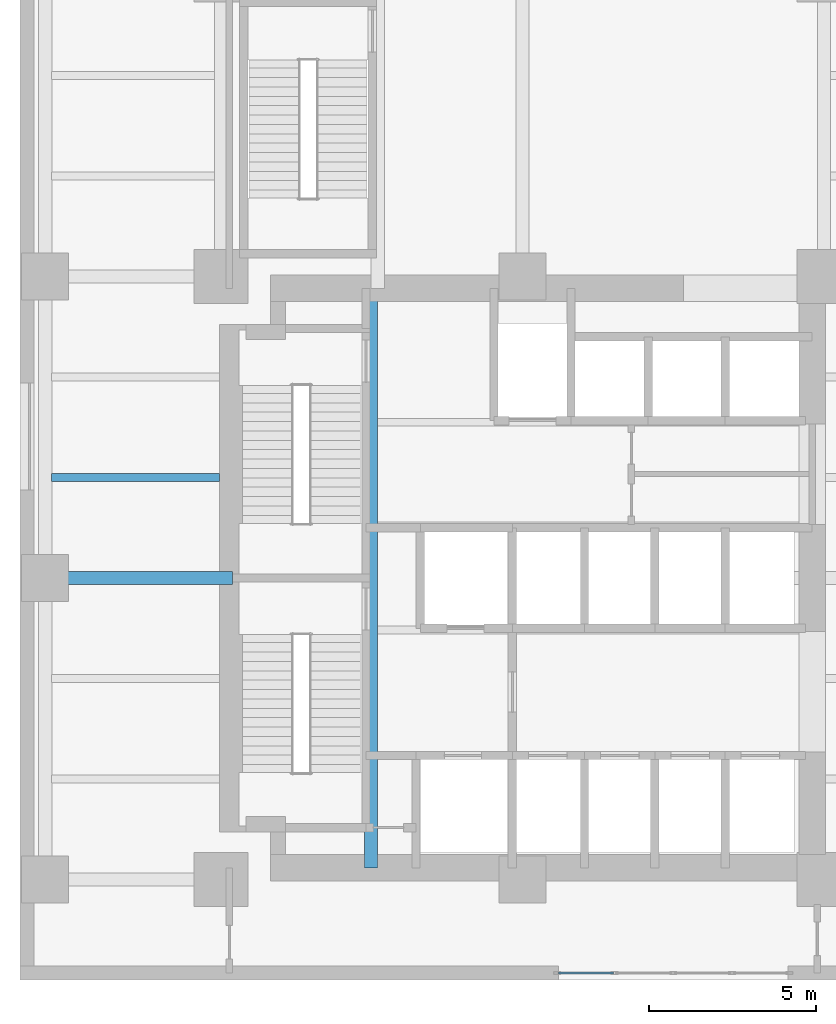
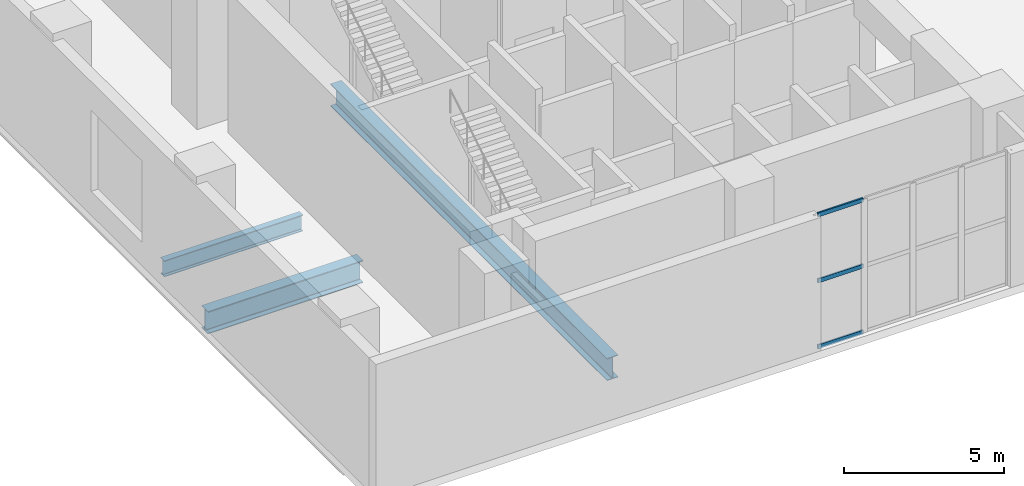
# One storey, part 3 of 20: 3 beams, 3 members, 1 element without a shape of its own.
"""IFC4 building model written with IfcOpenShell, lengths in metres."""

from ifc_helpers import new_model, si_unit, direction, frame, origin, origin_2d, place, context, subcontext, project, spatial, hollow_rectangle, i_section, extrude, material, layer, layer_set, material_profile, profile_set, type_object, element, aggregate, save


model = new_model("IFC4")

# Units and contexts
model_context = context("Model", 3, precision=1e-05, world=origin(), true_north=direction((0.0, 1.0)))
body_context = subcontext(model_context, "Body", "Model", "MODEL_VIEW")
ifc_project = project(units=[si_unit("LENGTHUNIT", "METRE"), si_unit("AREAUNIT", "SQUARE_METRE"), si_unit("VOLUMEUNIT", "CUBIC_METRE"), si_unit("PLANEANGLEUNIT", "RADIAN"), si_unit("MASSUNIT", "GRAM", prefix="KILO")], contexts=[model_context])

# Site, building, storey
site_placement = place(None, origin())
site = spatial("IfcSite", under=ifc_project, at=site_placement, CompositionType="ELEMENT")
building_placement = place(site_placement, origin())
building = spatial("IfcBuilding", under=site, at=building_placement, Name="Mawjdan Bourse Tower", CompositionType="ELEMENT")
storey_placement = place(building_placement, frame((0.0, 0.0, 5.39990234375)))
storey = spatial("IfcBuildingStorey", under=building, at=storey_placement, Name="L01", CompositionType="ELEMENT", Elevation=5.39990234375)

# Beams
ifc_material_1 = material(Name="Structural Steel S355", Category="steel")
ifc_material_profile_1 = material_profile(ifc_material_1, i_section(OverallWidth=0.39892578125, OverallDepth=0.85595703125, WebThickness=0.018310546875, FlangeThickness=0.029296875, FilletRadius=0.0234375, at=origin_2d()), Name="W33X201")
ifc_profile_set_1 = profile_set([ifc_material_profile_1], Name="Structural Steel S355")
beam_type_1 = type_object("IfcBeamType", Name="GRD-W33X201", PredefinedType="BEAM", material=ifc_profile_set_1)
beam_1_placement = place(storey_placement, frame((10.47998046875, 3.35009765625, -0.727783203125), z_axis=(0.0, 1.0, 0.0), x_axis=(-1.0, 0.0, 0.0)))
element("IfcBeam", 1, at=beam_1_placement, inside=storey, type_object=beam_type_1, Name="L01 Core Stair Trimmer Girder 001", PredefinedType="BEAM", context=body_context, shape_type="SweptSolid", body=[
    extrude(i_section(OverallWidth=0.39892578125, OverallDepth=0.85595703125, WebThickness=0.018310546875, FlangeThickness=0.029296875, FilletRadius=0.0234375, at=origin_2d()), origin(), (0.0, 0.0, 1.0), 17.2998046875),
])
beam_2_placement = place(storey_placement, frame((0.75, 12.0, -0.727783203125), z_axis=(1.0, 0.0, 0.0), x_axis=(0.0, 1.0, 0.0)))
element("IfcBeam", 2, at=beam_2_placement, inside=storey, type_object=beam_type_1, Name="L01 Podium Core Tie Girder 045", PredefinedType="BEAM", context=body_context, shape_type="SweptSolid", body=[
    extrude(i_section(OverallWidth=0.39892578125, OverallDepth=0.85595703125, WebThickness=0.018310546875, FlangeThickness=0.029296875, FilletRadius=0.0234375, at=origin_2d()), origin(), (0.0, 0.0, 1.0), 5.60009765625),
])
ifc_material_profile_2 = material_profile(ifc_material_1, i_section(OverallWidth=0.22998046875, OverallDepth=0.616943359375, WebThickness=0.01318359375, FlangeThickness=0.022216796875, FilletRadius=0.017822265625, at=origin_2d()), Name="W24X94")
ifc_profile_set_2 = profile_set([ifc_material_profile_2], Name="Structural Steel S355")
beam_type_2 = type_object("IfcBeamType", Name="JST-W24X94", PredefinedType="JOIST", material=ifc_profile_set_2)
beam_3_placement = place(storey_placement, frame((0.947509765625, 15.0, -0.6083984375), z_axis=(1.0, 0.0, 0.0), x_axis=(0.0, 1.0, 0.0)))
element("IfcBeam", 3, at=beam_3_placement, inside=storey, type_object=beam_type_2, Name="L01 Composite Floor Joist 083", PredefinedType="JOIST", context=body_context, shape_type="SweptSolid", body=[
    extrude(i_section(OverallWidth=0.22998046875, OverallDepth=0.616943359375, WebThickness=0.01318359375, FlangeThickness=0.022216796875, FilletRadius=0.017822265625, at=origin_2d()), origin(), (0.0, 0.0, 1.0), 5.012451171875),
])

# Curtain wall, members
ifc_material_2 = material(Name="Thermally Broken Aluminium and Solar Glass", Category="aluminium")
ifc_layer = layer(ifc_material_2, 0.219970703125)
ifc_layer_set = layer_set([ifc_layer], Name="Thermally Broken Aluminium and Solar Glass")
curtain_wall_type = type_object("IfcCurtainWallType", Name="CW-ENT", PredefinedType="USERDEFINED", material=ifc_layer_set)
curtain_wall_placement = place(storey_placement, origin())
curtain_wall = element("IfcCurtainWall", 4, at=curtain_wall_placement, inside=storey, type_object=curtain_wall_type, Name="L01 South-West Foyer Upper Curtain Wall", ObjectType="FOYER ENTRANCE CURTAIN WALL", PredefinedType="USERDEFINED")
ifc_material_3 = material(Name="Thermally Broken Anodised Aluminium", Category="aluminium")
ifc_material_profile_3 = material_profile(ifc_material_3, hollow_rectangle(XDim=0.06005859375, YDim=0.155029296875, WallThickness=0.00390625, at=origin_2d()), Name="ALU-TRN-155X60")
ifc_profile_set_3 = profile_set([ifc_material_profile_3], Name="Thermally Broken Anodised Aluminium")
member_type = type_object("IfcMemberType", Name="TRN-ALU-TRN-155X60", PredefinedType="USERDEFINED", material=ifc_profile_set_3)
member_1_placement = place(storey_placement, frame((16.074951171875, 0.2099609375, 0.030029296875), z_axis=(1.0, 0.0, 0.0), x_axis=(0.0, 1.0, 0.0)))
member_1 = element("IfcMember", 5, at=member_1_placement, type_object=member_type, Name="CW-ENT-L01-ENT-SW transom 1.1", ObjectType="TRANSOM", PredefinedType="USERDEFINED", context=body_context, shape_type="SweptSolid", body=[
    extrude(hollow_rectangle(XDim=0.06005859375, YDim=0.155029296875, WallThickness=0.00390625, at=origin_2d()), origin(), (0.0, 0.0, 1.0), 1.637451171875),
])
member_2_placement = place(storey_placement, frame((16.074951171875, 0.2099609375, 2.550048828125), z_axis=(1.0, 0.0, 0.0), x_axis=(0.0, 1.0, 0.0)))
member_2 = element("IfcMember", 6, at=member_2_placement, type_object=member_type, Name="CW-ENT-L01-ENT-SW transom 1.2", ObjectType="TRANSOM", PredefinedType="USERDEFINED", context=body_context, shape_type="SweptSolid", body=[
    extrude(hollow_rectangle(XDim=0.06005859375, YDim=0.155029296875, WallThickness=0.00390625, at=origin_2d()), origin(), (0.0, 0.0, 1.0), 1.637451171875),
])
member_3_placement = place(storey_placement, frame((16.074951171875, 0.2099609375, 5.070068359375), z_axis=(1.0, 0.0, 0.0), x_axis=(0.0, 1.0, 0.0)))
member_3 = element("IfcMember", 7, at=member_3_placement, type_object=member_type, Name="CW-ENT-L01-ENT-SW transom 1.3", ObjectType="TRANSOM", PredefinedType="USERDEFINED", context=body_context, shape_type="SweptSolid", body=[
    extrude(hollow_rectangle(XDim=0.06005859375, YDim=0.155029296875, WallThickness=0.00390625, at=origin_2d()), origin(), (0.0, 0.0, 1.0), 1.637451171875),
])
aggregate(curtain_wall, [member_1, member_2, member_3])

save(model, "model.ifc")
